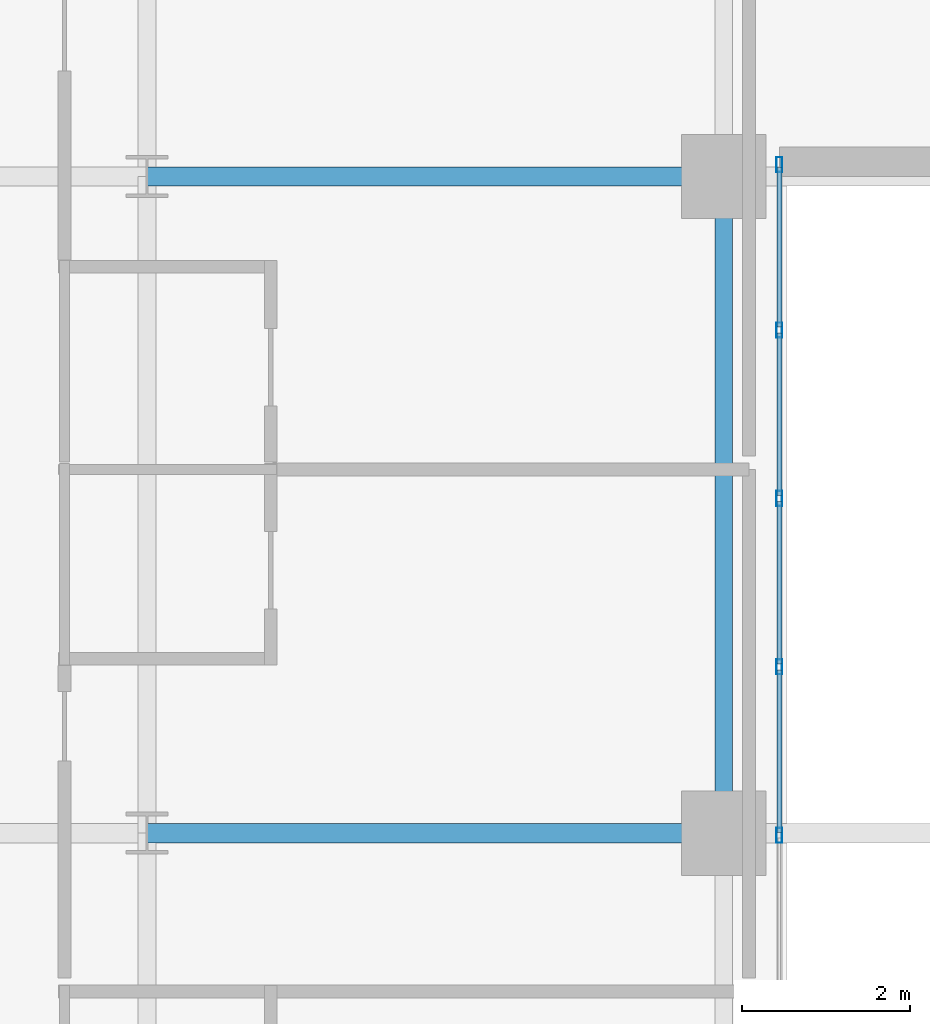
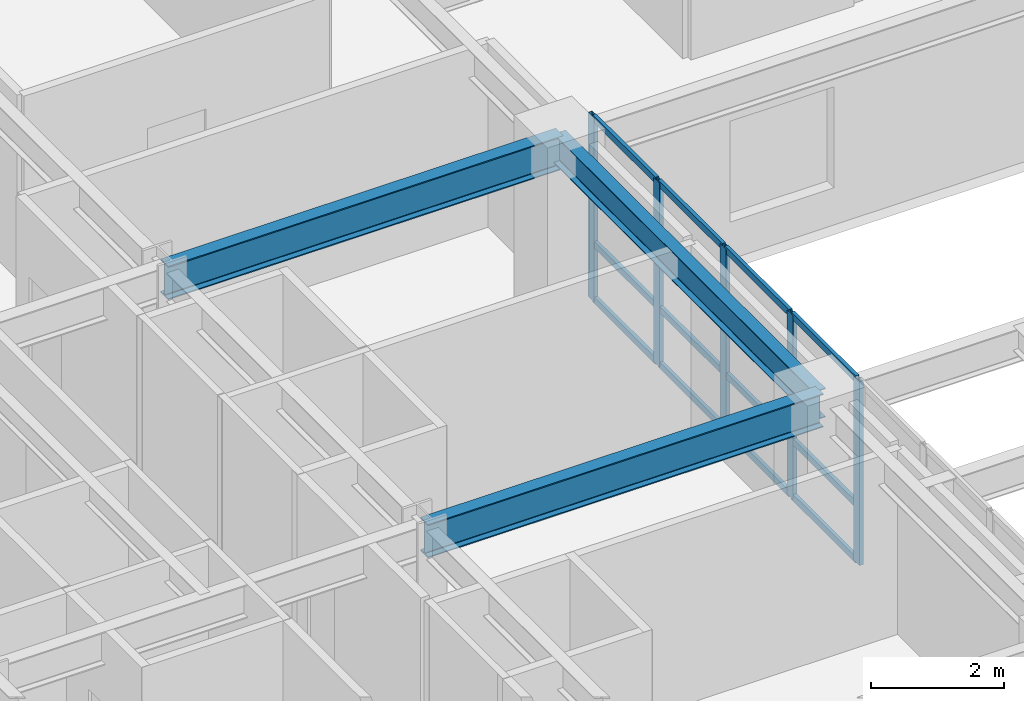
# One storey, part 3 of 16: 17 members, 3 beams, 1 element without a shape of its own.
"""IFC4 building model written with IfcOpenShell, lengths in metres."""

from ifc_helpers import new_model, si_unit, direction, frame, origin, origin_2d, place, context, subcontext, project, spatial, hollow_rectangle, i_section, extrude, source, transform, mapped, material, layer, layer_set, material_profile, profile_set, type_object, type_shapes, element, aggregate, save


model = new_model("IFC4")

# Units and contexts
model_context = context("Model", 3, precision=1e-05, world=origin(), true_north=direction((0.0, 1.0)))
body_context = subcontext(model_context, "Body", "Model", "MODEL_VIEW")
ifc_project = project(units=[si_unit("LENGTHUNIT", "METRE"), si_unit("AREAUNIT", "SQUARE_METRE"), si_unit("VOLUMEUNIT", "CUBIC_METRE"), si_unit("PLANEANGLEUNIT", "RADIAN"), si_unit("MASSUNIT", "GRAM", prefix="KILO")], contexts=[model_context])

# Site, building, storey
site_placement = place(None, origin())
site = spatial("IfcSite", under=ifc_project, at=site_placement, CompositionType="ELEMENT")
building_placement = place(site_placement, origin())
building = spatial("IfcBuilding", under=site, at=building_placement, Name="Tolvann Quenvar Hotel", CompositionType="ELEMENT")
storey_placement = place(building_placement, frame((0.0, 0.0, 71.050048828125)))
storey = spatial("IfcBuildingStorey", under=building, at=storey_placement, Name="L17", CompositionType="ELEMENT", Elevation=71.050048828125)

# Beams
ifc_material_1 = material(Name="Steel Grade 350", Category="steel")
ifc_material_profile_1 = material_profile(ifc_material_1, i_section(OverallWidth=0.22900390625, OverallDepth=0.612060546875, WebThickness=0.011962890625, FlangeThickness=0.01953125, FilletRadius=0.013916015625, at=origin_2d()), Name="610UB125")
ifc_profile_set_1 = profile_set([ifc_material_profile_1], Name="Steel Grade 350")
beam_type_1 = type_object("IfcBeamType", Name="BM_GIRD_610UB125", PredefinedType="BEAM", material=ifc_profile_set_1)
shared_shape_1 = source(origin(), body_context, "Body", "SweptSolid", [
    extrude(i_section(OverallWidth=0.22900390625, OverallDepth=0.612060546875, WebThickness=0.011962890625, FlangeThickness=0.01953125, FilletRadius=0.013916015625, at=origin_2d()), origin(), (0.0, 0.0, 1.0), 6.85009765625),
])
type_shapes(beam_type_1, [shared_shape_1])
for number, where, z_axis, x_axis, name in (
    (1, (15.199951171875, 8.199951171875, 3.06396484375), (1.0, 0.0, 0.0), (0.0, 1.0, 0.0), "BM-L17-EW-3-D3-E3"),
    (2, (15.199951171875, 16.0, 3.06396484375), (1.0, 0.0, 0.0), (0.0, 1.0, 0.0), "BM-L17-EW-4-D4-E4"),
):
    element("IfcBeam", number, at=place(storey_placement, frame(where, z_axis=z_axis, x_axis=x_axis)), inside=storey, type_object=beam_type_1, Name=name, PredefinedType="BEAM", context=body_context, shape_type="MappedRepresentation", body=[
        mapped(shared_shape_1, transform((0.0, 0.0, 0.0), x_axis=(1.0, 0.0, 0.0), y_axis=(0.0, 1.0, 0.0), z_axis=(0.0, 0.0, 1.0), scale=1.0)),
    ])
ifc_material_profile_2 = material_profile(ifc_material_1, i_section(OverallWidth=0.208984375, OverallDepth=0.532958984375, WebThickness=0.01025390625, FlangeThickness=0.015625, FilletRadius=0.013916015625, at=origin_2d()), Name="530UB92")
ifc_profile_set_2 = profile_set([ifc_material_profile_2], Name="Steel Grade 350")
beam_type_2 = type_object("IfcBeamType", Name="BM_GIRD_530UB92", PredefinedType="BEAM", material=ifc_profile_set_2)
shared_shape_2 = source(origin(), body_context, "Body", "SweptSolid", [
    extrude(i_section(OverallWidth=0.208984375, OverallDepth=0.532958984375, WebThickness=0.01025390625, FlangeThickness=0.015625, FilletRadius=0.013916015625, at=origin_2d()), origin(), (0.0, 0.0, 1.0), 7.800048828125),
])
type_shapes(beam_type_2, [shared_shape_2])
beam_placement = place(storey_placement, frame((22.050048828125, 8.199951171875, 3.103515625), z_axis=(0.0, 1.0, 0.0), x_axis=(-1.0, 0.0, 0.0)))
element("IfcBeam", 3, at=beam_placement, inside=storey, type_object=beam_type_2, Name="BM-L17-NS-E3-E4", PredefinedType="BEAM", context=body_context, shape_type="MappedRepresentation", body=[
    mapped(shared_shape_2, transform((0.0, 0.0, 0.0), x_axis=(1.0, 0.0, 0.0), y_axis=(0.0, 1.0, 0.0), z_axis=(0.0, 0.0, 1.0), scale=1.0)),
])

# Curtain wall, members
ifc_material_2 = material(Name="Thermally broken anodised architectural aluminium 6063-T6 and laminated low-E glass", Category="aluminium")
ifc_layer = layer(ifc_material_2, 0.179931640625)
ifc_layer_set = layer_set([ifc_layer], Name="Thermally broken anodised architectural aluminium 6063-T6 and laminated low-E glass")
curtain_wall_type = type_object("IfcCurtainWallType", Name="CW_SYS_SLOT_03", PredefinedType="USERDEFINED", material=ifc_layer_set)
curtain_wall_placement = place(storey_placement, origin())
curtain_wall = element("IfcCurtainWall", 4, at=curtain_wall_placement, inside=storey, type_object=curtain_wall_type, Name="Curtain Wall CW-SLOT-03 (CWR-L17-E05)", ObjectType="UNITISED CURTAIN WALL", PredefinedType="USERDEFINED")
ifc_material_3 = material(Name="Anodised architectural aluminium 6063-T6 framing", Category="aluminium")
ifc_material_profile_3 = material_profile(ifc_material_3, hollow_rectangle(XDim=0.06005859375, YDim=0.1201171875, WallThickness=0.00341796875, at=origin_2d()), Name="120x60x3.5RHS")
ifc_profile_set_3 = profile_set([ifc_material_profile_3], Name="Anodised architectural aluminium 6063-T6 framing")
member_type_1 = type_object("IfcMemberType", Name="CW_TRAN_120x60", PredefinedType="USERDEFINED", material=ifc_profile_set_3)
shared_shape_3 = source(origin(), body_context, "Body", "SweptSolid", [
    extrude(hollow_rectangle(XDim=0.06005859375, YDim=0.1201171875, WallThickness=0.00341796875, at=origin_2d()), origin(), (0.0, 0.0, 1.0), 1.929931640625),
])
member_1_placement = place(storey_placement, frame((22.7099609375, 8.2099609375, 0.030029296875), z_axis=(0.0, 1.0, 0.0), x_axis=(-1.0, 0.0, 0.0)))
member_1 = element("IfcMember", 5, at=member_1_placement, type_object=member_type_1, Name="CW-SLOT-03 transom 5.1", ObjectType="TRANSOM", PredefinedType="USERDEFINED", context=body_context, shape_type="MappedRepresentation", body=[
    mapped(shared_shape_3, transform((0.0, 0.0, 0.0), x_axis=(1.0, 0.0, 0.0), y_axis=(0.0, 1.0, 0.0), z_axis=(0.0, 0.0, 1.0), scale=1.0)),
])
member_2_placement = place(storey_placement, frame((22.7099609375, 8.2099609375, 1.050048828125), z_axis=(0.0, 1.0, 0.0), x_axis=(-1.0, 0.0, 0.0)))
member_2 = element("IfcMember", 6, at=member_2_placement, type_object=member_type_1, Name="CW-SLOT-03 transom 5.2", ObjectType="TRANSOM", PredefinedType="USERDEFINED", context=body_context, shape_type="MappedRepresentation", body=[
    mapped(shared_shape_3, transform((0.0, 0.0, 0.0), x_axis=(1.0, 0.0, 0.0), y_axis=(0.0, 1.0, 0.0), z_axis=(0.0, 0.0, 1.0), scale=1.0)),
])
member_3_placement = place(storey_placement, frame((22.7099609375, 8.2099609375, 3.33984375), z_axis=(0.0, 1.0, 0.0), x_axis=(-1.0, 0.0, 0.0)))
member_3 = element("IfcMember", 7, at=member_3_placement, type_object=member_type_1, Name="CW-SLOT-03 transom 5.3", ObjectType="TRANSOM", PredefinedType="USERDEFINED", context=body_context, shape_type="MappedRepresentation", body=[
    mapped(shared_shape_3, transform((0.0, 0.0, 0.0), x_axis=(1.0, 0.0, 0.0), y_axis=(0.0, 1.0, 0.0), z_axis=(0.0, 0.0, 1.0), scale=1.0)),
])
member_4_placement = place(storey_placement, frame((22.7099609375, 10.2099609375, 0.030029296875), z_axis=(0.0, 1.0, 0.0), x_axis=(-1.0, 0.0, 0.0)))
member_4 = element("IfcMember", 8, at=member_4_placement, type_object=member_type_1, Name="CW-SLOT-03 transom 6.1", ObjectType="TRANSOM", PredefinedType="USERDEFINED", context=body_context, shape_type="MappedRepresentation", body=[
    mapped(shared_shape_3, transform((0.0, 0.0, 0.0), x_axis=(1.0, 0.0, 0.0), y_axis=(0.0, 1.0, 0.0), z_axis=(0.0, 0.0, 1.0), scale=1.0)),
])
member_5_placement = place(storey_placement, frame((22.7099609375, 10.2099609375, 1.050048828125), z_axis=(0.0, 1.0, 0.0), x_axis=(-1.0, 0.0, 0.0)))
member_5 = element("IfcMember", 9, at=member_5_placement, type_object=member_type_1, Name="CW-SLOT-03 transom 6.2", ObjectType="TRANSOM", PredefinedType="USERDEFINED", context=body_context, shape_type="MappedRepresentation", body=[
    mapped(shared_shape_3, transform((0.0, 0.0, 0.0), x_axis=(1.0, 0.0, 0.0), y_axis=(0.0, 1.0, 0.0), z_axis=(0.0, 0.0, 1.0), scale=1.0)),
])
member_6_placement = place(storey_placement, frame((22.7099609375, 10.2099609375, 3.33984375), z_axis=(0.0, 1.0, 0.0), x_axis=(-1.0, 0.0, 0.0)))
member_6 = element("IfcMember", 10, at=member_6_placement, type_object=member_type_1, Name="CW-SLOT-03 transom 6.3", ObjectType="TRANSOM", PredefinedType="USERDEFINED", context=body_context, shape_type="MappedRepresentation", body=[
    mapped(shared_shape_3, transform((0.0, 0.0, 0.0), x_axis=(1.0, 0.0, 0.0), y_axis=(0.0, 1.0, 0.0), z_axis=(0.0, 0.0, 1.0), scale=1.0)),
])
member_7_placement = place(storey_placement, frame((22.7099609375, 12.2099609375, 0.030029296875), z_axis=(0.0, 1.0, 0.0), x_axis=(-1.0, 0.0, 0.0)))
member_7 = element("IfcMember", 11, at=member_7_placement, type_object=member_type_1, Name="CW-SLOT-03 transom 7.1", ObjectType="TRANSOM", PredefinedType="USERDEFINED", context=body_context, shape_type="MappedRepresentation", body=[
    mapped(shared_shape_3, transform((0.0, 0.0, 0.0), x_axis=(1.0, 0.0, 0.0), y_axis=(0.0, 1.0, 0.0), z_axis=(0.0, 0.0, 1.0), scale=1.0)),
])
member_8_placement = place(storey_placement, frame((22.7099609375, 12.2099609375, 1.050048828125), z_axis=(0.0, 1.0, 0.0), x_axis=(-1.0, 0.0, 0.0)))
member_8 = element("IfcMember", 12, at=member_8_placement, type_object=member_type_1, Name="CW-SLOT-03 transom 7.2", ObjectType="TRANSOM", PredefinedType="USERDEFINED", context=body_context, shape_type="MappedRepresentation", body=[
    mapped(shared_shape_3, transform((0.0, 0.0, 0.0), x_axis=(1.0, 0.0, 0.0), y_axis=(0.0, 1.0, 0.0), z_axis=(0.0, 0.0, 1.0), scale=1.0)),
])
member_9_placement = place(storey_placement, frame((22.7099609375, 12.2099609375, 3.33984375), z_axis=(0.0, 1.0, 0.0), x_axis=(-1.0, 0.0, 0.0)))
member_9 = element("IfcMember", 13, at=member_9_placement, type_object=member_type_1, Name="CW-SLOT-03 transom 7.3", ObjectType="TRANSOM", PredefinedType="USERDEFINED", context=body_context, shape_type="MappedRepresentation", body=[
    mapped(shared_shape_3, transform((0.0, 0.0, 0.0), x_axis=(1.0, 0.0, 0.0), y_axis=(0.0, 1.0, 0.0), z_axis=(0.0, 0.0, 1.0), scale=1.0)),
])
shared_shape_4 = source(origin(), body_context, "Body", "SweptSolid", [
    extrude(hollow_rectangle(XDim=0.06005859375, YDim=0.1201171875, WallThickness=0.00341796875, at=origin_2d()), origin(), (0.0, 0.0, 1.0), 1.89501953125),
])
type_shapes(member_type_1, [shared_shape_3, shared_shape_4])
member_10_placement = place(storey_placement, frame((22.7099609375, 14.2099609375, 0.030029296875), z_axis=(0.0, 1.0, 0.0), x_axis=(-1.0, 0.0, 0.0)))
member_10 = element("IfcMember", 14, at=member_10_placement, type_object=member_type_1, Name="CW-SLOT-03 transom 8.1", ObjectType="TRANSOM", PredefinedType="USERDEFINED", context=body_context, shape_type="MappedRepresentation", body=[
    mapped(shared_shape_4, transform((0.0, 0.0, 0.0), x_axis=(1.0, 0.0, 0.0), y_axis=(0.0, 1.0, 0.0), z_axis=(0.0, 0.0, 1.0), scale=1.0)),
])
member_11_placement = place(storey_placement, frame((22.7099609375, 14.2099609375, 1.050048828125), z_axis=(0.0, 1.0, 0.0), x_axis=(-1.0, 0.0, 0.0)))
member_11 = element("IfcMember", 15, at=member_11_placement, type_object=member_type_1, Name="CW-SLOT-03 transom 8.2", ObjectType="TRANSOM", PredefinedType="USERDEFINED", context=body_context, shape_type="MappedRepresentation", body=[
    mapped(shared_shape_4, transform((0.0, 0.0, 0.0), x_axis=(1.0, 0.0, 0.0), y_axis=(0.0, 1.0, 0.0), z_axis=(0.0, 0.0, 1.0), scale=1.0)),
])
member_12_placement = place(storey_placement, frame((22.7099609375, 14.2099609375, 3.33984375), z_axis=(0.0, 1.0, 0.0), x_axis=(-1.0, 0.0, 0.0)))
member_12 = element("IfcMember", 16, at=member_12_placement, type_object=member_type_1, Name="CW-SLOT-03 transom 8.3", ObjectType="TRANSOM", PredefinedType="USERDEFINED", context=body_context, shape_type="MappedRepresentation", body=[
    mapped(shared_shape_4, transform((0.0, 0.0, 0.0), x_axis=(1.0, 0.0, 0.0), y_axis=(0.0, 1.0, 0.0), z_axis=(0.0, 0.0, 1.0), scale=1.0)),
])
ifc_material_profile_4 = material_profile(ifc_material_3, hollow_rectangle(XDim=0.070068359375, YDim=0.179931640625, WallThickness=0.00390625, at=origin_2d()), Name="180x70x4RHS")
ifc_profile_set_4 = profile_set([ifc_material_profile_4], Name="Anodised architectural aluminium 6063-T6 framing")
member_type_2 = type_object("IfcMemberType", Name="CW_MULL_180x70", PredefinedType="MULLION", material=ifc_profile_set_4)
shared_shape_5 = source(origin(), body_context, "Body", "SweptSolid", [
    extrude(hollow_rectangle(XDim=0.070068359375, YDim=0.179931640625, WallThickness=0.00390625, at=origin_2d()), origin(), (0.0, 0.0, 1.0), 3.369873046875),
])
type_shapes(member_type_2, [shared_shape_5])
member_13_placement = place(storey_placement, frame((22.7099609375, 8.175048828125, 0.0), z_axis=(0.0, 0.0, 1.0), x_axis=(-1.0, 0.0, 0.0)))
member_13 = element("IfcMember", 17, at=member_13_placement, type_object=member_type_2, Name="CW-SLOT-03 mullion 5", PredefinedType="MULLION", context=body_context, shape_type="MappedRepresentation", body=[
    mapped(shared_shape_5, transform((0.0, 0.0, 0.0), x_axis=(1.0, 0.0, 0.0), y_axis=(0.0, 1.0, 0.0), z_axis=(0.0, 0.0, 1.0), scale=1.0)),
])
member_14_placement = place(storey_placement, frame((22.7099609375, 10.175048828125, 0.0), z_axis=(0.0, 0.0, 1.0), x_axis=(-1.0, 0.0, 0.0)))
member_14 = element("IfcMember", 18, at=member_14_placement, type_object=member_type_2, Name="CW-SLOT-03 mullion 6", PredefinedType="MULLION", context=body_context, shape_type="MappedRepresentation", body=[
    mapped(shared_shape_5, transform((0.0, 0.0, 0.0), x_axis=(1.0, 0.0, 0.0), y_axis=(0.0, 1.0, 0.0), z_axis=(0.0, 0.0, 1.0), scale=1.0)),
])
member_15_placement = place(storey_placement, frame((22.7099609375, 12.175048828125, 0.0), z_axis=(0.0, 0.0, 1.0), x_axis=(-1.0, 0.0, 0.0)))
member_15 = element("IfcMember", 19, at=member_15_placement, type_object=member_type_2, Name="CW-SLOT-03 mullion 7", PredefinedType="MULLION", context=body_context, shape_type="MappedRepresentation", body=[
    mapped(shared_shape_5, transform((0.0, 0.0, 0.0), x_axis=(1.0, 0.0, 0.0), y_axis=(0.0, 1.0, 0.0), z_axis=(0.0, 0.0, 1.0), scale=1.0)),
])
member_16_placement = place(storey_placement, frame((22.7099609375, 14.175048828125, 0.0), z_axis=(0.0, 0.0, 1.0), x_axis=(-1.0, 0.0, 0.0)))
member_16 = element("IfcMember", 20, at=member_16_placement, type_object=member_type_2, Name="CW-SLOT-03 mullion 8", PredefinedType="MULLION", context=body_context, shape_type="MappedRepresentation", body=[
    mapped(shared_shape_5, transform((0.0, 0.0, 0.0), x_axis=(1.0, 0.0, 0.0), y_axis=(0.0, 1.0, 0.0), z_axis=(0.0, 0.0, 1.0), scale=1.0)),
])
member_17_placement = place(storey_placement, frame((22.7099609375, 16.139892578125, 0.0), z_axis=(0.0, 0.0, 1.0), x_axis=(-1.0, 0.0, 0.0)))
member_17 = element("IfcMember", 21, at=member_17_placement, type_object=member_type_2, Name="CW-SLOT-03 mullion 9", PredefinedType="MULLION", context=body_context, shape_type="MappedRepresentation", body=[
    mapped(shared_shape_5, transform((0.0, 0.0, 0.0), x_axis=(1.0, 0.0, 0.0), y_axis=(0.0, 1.0, 0.0), z_axis=(0.0, 0.0, 1.0), scale=1.0)),
])
aggregate(curtain_wall, [member_13, member_14, member_15, member_16, member_17, member_1, member_2, member_3, member_4, member_5, member_6, member_7, member_8, member_9, member_10, member_11, member_12])

save(model, "model.ifc")
